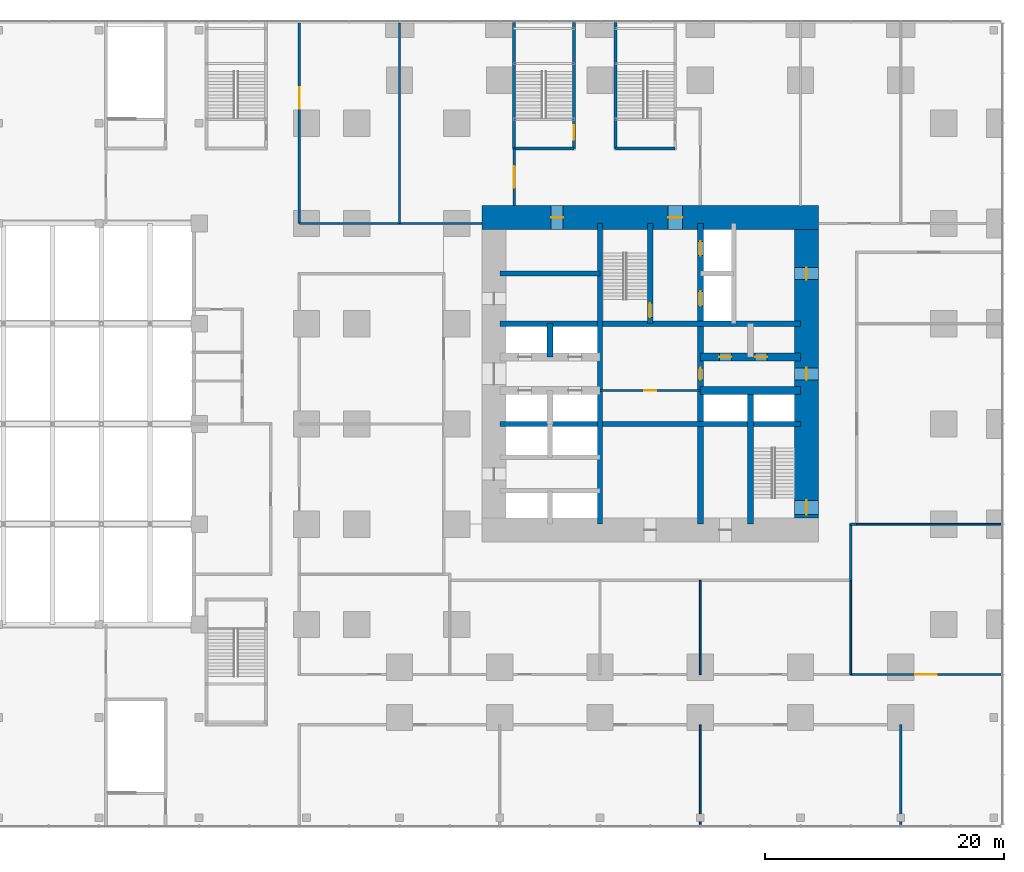
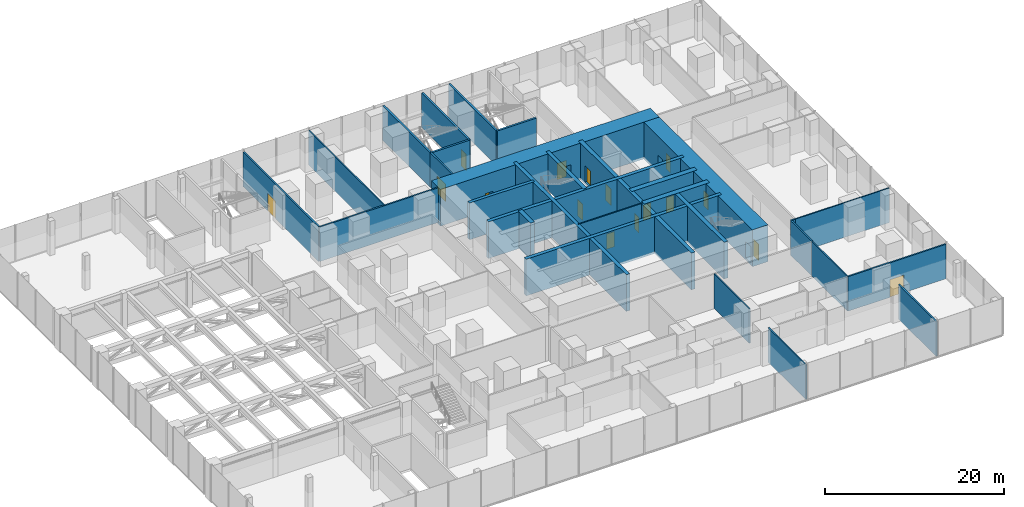
# One storey, part 28 of 33: 30 walls, 16 doors, 16 openings.
"""IFC4 building model written with IfcOpenShell, lengths in metres."""

from ifc_helpers import new_model, si_unit, direction, frame, frame_2d, origin, place, context, subcontext, project, spatial, rectangle, extrude, material, layer, layer_set, type_object, element, fill, save


model = new_model("IFC4")

# Units and contexts
model_context = context("Model", 3, precision=1e-05, world=origin(), true_north=direction((0.0, 1.0)))
body_context = subcontext(model_context, "Body", "Model", "MODEL_VIEW")
ifc_project = project(units=[si_unit("LENGTHUNIT", "METRE"), si_unit("AREAUNIT", "SQUARE_METRE"), si_unit("VOLUMEUNIT", "CUBIC_METRE"), si_unit("PLANEANGLEUNIT", "RADIAN"), si_unit("MASSUNIT", "GRAM", prefix="KILO")], contexts=[model_context])

# Site, building, storey
site_placement = place(None, origin())
site = spatial("IfcSite", under=ifc_project, at=site_placement, CompositionType="ELEMENT")
building_placement = place(site_placement, origin())
building = spatial("IfcBuilding", under=site, at=building_placement, Name="Dunama Terrace Hotel", CompositionType="ELEMENT")
storey_placement = place(building_placement, frame((0.0, 0.0, 12.0)))
storey = spatial("IfcBuildingStorey", under=building, at=storey_placement, Name="L02", CompositionType="ELEMENT", Elevation=12.0)

# Walls
ifc_material_1 = material(Name="Concrete C50/60", Category="concrete")
ifc_layer_1 = layer(ifc_material_1, 0.39990234375)
ifc_layer_set_1 = layer_set([ifc_layer_1], Name="Core inner wall 400")
wall_type_1 = type_object("IfcWallType", Name="Core inner wall 400", PredefinedType="SHEAR", material=ifc_layer_set_1)
wall_1_placement = place(storey_placement, frame((16.800048828125, 37.800048828125, -0.300048828125), z_axis=(0.0, 0.0, 1.0), x_axis=(1.0, 0.0, 0.0)))
element("IfcWall", 1, at=wall_1_placement, inside=storey, type_object=wall_type_1, Name="Core inner wall 400 L02", PredefinedType="SHEAR", context=body_context, shape_type="SweptSolid", body=[
    extrude(rectangle(XDim=8.39990234375, YDim=0.39990234375, at=frame_2d((4.199951171875, 0.0))), origin(), (0.0, 0.0, 1.0), 5.0),
])
ifc_material_2 = material(Name="Concrete C50/60", Category="concrete")
ifc_layer_2 = layer(ifc_material_2, 0.449951171875)
ifc_layer_set_2 = layer_set([ifc_layer_2], Name="Core inner wall 450")
wall_type_2 = type_object("IfcWallType", Name="Core inner wall 450", PredefinedType="SHEAR", material=ifc_layer_set_2)
wall_2_placement = place(storey_placement, frame((25.199951171875, 16.800048828125, -0.300048828125), z_axis=(0.0, 0.0, 1.0), x_axis=(0.0, 1.0, 0.0)))
element("IfcWall", 2, at=wall_2_placement, inside=storey, type_object=wall_type_2, Name="Core inner wall 450 L02", PredefinedType="SHEAR", context=body_context, shape_type="SweptSolid", body=[
    extrude(rectangle(XDim=25.199951171875, YDim=0.449951171875, at=frame_2d((12.60009765625, 0.0))), origin(), (0.0, 0.0, 1.0), 5.0),
])

# Wall, opening, door
wall_3_placement = place(storey_placement, frame((29.39990234375, 33.60009765625, -0.300048828125), z_axis=(0.0, 0.0, 1.0), x_axis=(0.0, 1.0, 0.0)))
wall_3 = element("IfcWall", 3, at=wall_3_placement, inside=storey, type_object=wall_type_2, Name="Core inner wall 450 L02", PredefinedType="SHEAR", context=body_context, shape_type="SweptSolid", body=[
    extrude(rectangle(XDim=8.39990234375, YDim=0.449951171875, at=frame_2d((4.199951171875, 0.0))), origin(), (0.0, 0.0, 1.0), 5.0),
])
opening_1_placement = place(wall_3_placement, frame((0.52490234375, 0.0, 0.300048828125)))
opening_1 = element("IfcOpeningElement", 4, at=opening_1_placement, cuts=wall_3, Name="Opening L02-001", PredefinedType="OPENING", context=body_context, shape_type="SweptSolid", body=[
    extrude(rectangle(XDim=1.199951171875, YDim=2.199951171875, at=frame_2d((0.60009765625, 1.10009765625))), frame((0.0, 0.23486328125, 0.0), z_axis=(0.0, -1.0, 0.0), x_axis=(1.0, 0.0, 0.0)), (0.0, 0.0, 1.0), 0.469970703125),
])
ifc_material_3 = material(Name="Timber door with steel frame", Category="steel")
door_type_1 = type_object("IfcDoorType", Name="Stair door 1200", OperationType="SINGLE_SWING_LEFT", PredefinedType="DOOR", material=ifc_material_3)
door_1_placement = place(opening_1_placement, origin())
door_1 = element("IfcDoor", 5, at=door_1_placement, inside=storey, type_object=door_type_1, Name="Stair door ST1 L02-001, type D5", OperationType="SINGLE_SWING_LEFT", OverallHeight=2.199951171875, OverallWidth=1.199951171875, PredefinedType="DOOR", context=body_context, shape_type="SweptSolid", body=[
    extrude(rectangle(XDim=1.199951171875, YDim=2.199951171875, at=frame_2d((0.60009765625, 1.10009765625))), frame((0.0, 0.02490234375, 0.0), z_axis=(0.0, -1.0, 0.0), x_axis=(1.0, 0.0, 0.0)), (0.0, 0.0, 1.0), 0.050048828125),
])
fill(opening_1, door_1)

# Walls
for number, where, z_axis, x_axis, name in (
    (6, (16.800048828125, 25.199951171875, -0.300048828125), (0.0, 0.0, 1.0), (1.0, 0.0, 0.0), "Core inner wall 450 L02"),
    (7, (16.800048828125, 33.60009765625, -0.300048828125), (0.0, 0.0, 1.0), (1.0, 0.0, 0.0), "Core inner wall 450 L02"),
):
    element("IfcWall", number, at=place(storey_placement, frame(where, z_axis=z_axis, x_axis=x_axis)), inside=storey, type_object=wall_type_2, Name=name, PredefinedType="SHEAR", context=body_context, shape_type="SweptSolid", body=[
        extrude(rectangle(XDim=25.199951171875, YDim=0.449951171875, at=frame_2d((12.60009765625, 0.0))), origin(), (0.0, 0.0, 1.0), 5.0),
    ])
ifc_material_4 = material(Name="Concrete C50/60", Category="concrete")
ifc_layer_3 = layer(ifc_material_4, 0.5)
ifc_layer_set_3 = layer_set([ifc_layer_3], Name="Core inner wall 500")
wall_type_3 = type_object("IfcWallType", Name="Core inner wall 500", PredefinedType="SHEAR", material=ifc_layer_set_3)
wall_4_placement = place(storey_placement, frame((21.0, 30.800048828125, -0.300048828125), z_axis=(0.0, 0.0, 1.0), x_axis=(0.0, 1.0, 0.0)))
element("IfcWall", 8, at=wall_4_placement, inside=storey, type_object=wall_type_3, Name="Core inner wall 500 L02", PredefinedType="SHEAR", context=body_context, shape_type="SweptSolid", body=[
    extrude(rectangle(XDim=2.800048828125, YDim=0.5, at=frame_2d((1.39990234375, 0.0))), origin(), (0.0, 0.0, 1.0), 5.0),
])

# Wall, openings, doors
wall_5_placement = place(storey_placement, frame((33.60009765625, 16.800048828125, -0.300048828125), z_axis=(0.0, 0.0, 1.0), x_axis=(0.0, 1.0, 0.0)))
wall_5 = element("IfcWall", 9, at=wall_5_placement, inside=storey, type_object=wall_type_3, Name="Core inner wall 500 L02", PredefinedType="SHEAR", context=body_context, shape_type="SweptSolid", body=[
    extrude(rectangle(XDim=25.199951171875, YDim=0.5, at=frame_2d((12.60009765625, 0.0))), origin(), (0.0, 0.0, 1.0), 5.0),
])
opening_2_placement = place(wall_5_placement, frame((22.5, 0.0, 0.300048828125)))
opening_2 = element("IfcOpeningElement", 10, at=opening_2_placement, cuts=wall_5, Name="Opening L02-013", PredefinedType="OPENING", context=body_context, shape_type="SweptSolid", body=[
    extrude(rectangle(XDim=1.199951171875, YDim=2.199951171875, at=frame_2d((0.60009765625, 1.10009765625))), frame((0.0, 0.260009765625, 0.0), z_axis=(0.0, -1.0, 0.0), x_axis=(1.0, 0.0, 0.0)), (0.0, 0.0, 1.0), 0.52001953125),
])
opening_3_placement = place(wall_5_placement, frame((18.300048828125, 0.0, 0.300048828125)))
opening_3 = element("IfcOpeningElement", 11, at=opening_3_placement, cuts=wall_5, Name="Opening L02-014", PredefinedType="OPENING", context=body_context, shape_type="SweptSolid", body=[
    extrude(rectangle(XDim=1.199951171875, YDim=2.199951171875, at=frame_2d((0.60009765625, 1.10009765625))), frame((0.0, 0.260009765625, 0.0), z_axis=(0.0, -1.0, 0.0), x_axis=(1.0, 0.0, 0.0)), (0.0, 0.0, 1.0), 0.52001953125),
])
opening_4_placement = place(wall_5_placement, frame((12.10009765625, 0.0, 0.300048828125)))
opening_4 = element("IfcOpeningElement", 12, at=opening_4_placement, cuts=wall_5, Name="Opening L02-019", PredefinedType="OPENING", context=body_context, shape_type="SweptSolid", body=[
    extrude(rectangle(XDim=1.0, YDim=2.10009765625, at=frame_2d((0.5, 1.050048828125))), frame((0.0, 0.260009765625, 0.0), z_axis=(0.0, -1.0, 0.0), x_axis=(1.0, 0.0, 0.0)), (0.0, 0.0, 1.0), 0.52001953125),
])
ifc_material_5 = material(Name="Stainless steel lift door", Category="steel")
door_type_2 = type_object("IfcDoorType", Name="Firefighting lift landing door 1200", OperationType="DOUBLE_DOOR_SLIDING", PredefinedType="DOOR", material=ifc_material_5)
door_2_placement = place(opening_2_placement, origin())
door_2 = element("IfcDoor", 13, at=door_2_placement, inside=storey, type_object=door_type_2, Name="Landing door FL1 L02-013, type LD2", OperationType="DOUBLE_DOOR_SLIDING", OverallHeight=2.199951171875, OverallWidth=1.199951171875, PredefinedType="DOOR", context=body_context, shape_type="SweptSolid", body=[
    extrude(rectangle(XDim=1.199951171875, YDim=2.199951171875, at=frame_2d((0.60009765625, 1.10009765625))), frame((0.0, 0.02490234375, 0.0), z_axis=(0.0, -1.0, 0.0), x_axis=(1.0, 0.0, 0.0)), (0.0, 0.0, 1.0), 0.050048828125),
])
fill(opening_2, door_2)
door_3_placement = place(opening_3_placement, origin())
door_3 = element("IfcDoor", 14, at=door_3_placement, inside=storey, type_object=door_type_2, Name="Landing door FL2 L02-014, type LD2", OperationType="DOUBLE_DOOR_SLIDING", OverallHeight=2.199951171875, OverallWidth=1.199951171875, PredefinedType="DOOR", context=body_context, shape_type="SweptSolid", body=[
    extrude(rectangle(XDim=1.199951171875, YDim=2.199951171875, at=frame_2d((0.60009765625, 1.10009765625))), frame((0.0, 0.02490234375, 0.0), z_axis=(0.0, -1.0, 0.0), x_axis=(1.0, 0.0, 0.0)), (0.0, 0.0, 1.0), 0.050048828125),
])
fill(opening_3, door_3)
ifc_material_6 = material(Name="Timber door with steel frame", Category="steel")
door_type_3 = type_object("IfcDoorType", Name="Service door 1000", OperationType="SINGLE_SWING_LEFT", PredefinedType="DOOR", material=ifc_material_6)
door_4_placement = place(opening_4_placement, origin())
door_4 = element("IfcDoor", 15, at=door_4_placement, inside=storey, type_object=door_type_3, Name="Door to guest amenities store L02-019, type D7", OperationType="SINGLE_SWING_LEFT", OverallHeight=2.10009765625, OverallWidth=1.0, PredefinedType="DOOR", context=body_context, shape_type="SweptSolid", body=[
    extrude(rectangle(XDim=1.0, YDim=2.10009765625, at=frame_2d((0.5, 1.050048828125))), frame((0.0, 0.02490234375, 0.0), z_axis=(0.0, -1.0, 0.0), x_axis=(1.0, 0.0, 0.0)), (0.0, 0.0, 1.0), 0.050048828125),
])
fill(opening_4, door_4)

# Walls
wall_6_placement = place(storey_placement, frame((37.800048828125, 16.800048828125, -0.300048828125), z_axis=(0.0, 0.0, 1.0), x_axis=(0.0, 1.0, 0.0)))
element("IfcWall", 16, at=wall_6_placement, inside=storey, type_object=wall_type_3, Name="Core inner wall 500 L02", PredefinedType="SHEAR", context=body_context, shape_type="SweptSolid", body=[
    extrude(rectangle(XDim=11.199951171875, YDim=0.5, at=frame_2d((5.60009765625, 0.0))), origin(), (0.0, 0.0, 1.0), 5.0),
])
ifc_material_7 = material(Name="Concrete C50/60", Category="concrete")
ifc_layer_4 = layer(ifc_material_7, 0.64990234375)
ifc_layer_set_4 = layer_set([ifc_layer_4], Name="Core inner wall 650")
wall_type_4 = type_object("IfcWallType", Name="Core inner wall 650", PredefinedType="SHEAR", material=ifc_layer_set_4)
wall_7_placement = place(storey_placement, frame((33.60009765625, 28.0, -0.300048828125), z_axis=(0.0, 0.0, 1.0), x_axis=(1.0, 0.0, 0.0)))
element("IfcWall", 17, at=wall_7_placement, inside=storey, type_object=wall_type_4, Name="Core inner wall 650 L02", PredefinedType="SHEAR", context=body_context, shape_type="SweptSolid", body=[
    extrude(rectangle(XDim=8.39990234375, YDim=0.64990234375, at=frame_2d((4.199951171875, 0.0))), origin(), (0.0, 0.0, 1.0), 5.0),
])

# Wall, openings, doors
wall_8_placement = place(storey_placement, frame((33.60009765625, 30.800048828125, -0.300048828125), z_axis=(0.0, 0.0, 1.0), x_axis=(1.0, 0.0, 0.0)))
wall_8 = element("IfcWall", 18, at=wall_8_placement, inside=storey, type_object=wall_type_4, Name="Core inner wall 650 L02", PredefinedType="SHEAR", context=body_context, shape_type="SweptSolid", body=[
    extrude(rectangle(XDim=8.39990234375, YDim=0.64990234375, at=frame_2d((4.199951171875, 0.0))), origin(), (0.0, 0.0, 1.0), 5.0),
])
opening_5_placement = place(wall_8_placement, frame((1.60009765625, 0.0, 0.300048828125)))
opening_5 = element("IfcOpeningElement", 19, at=opening_5_placement, cuts=wall_8, Name="Opening L02-021", PredefinedType="OPENING", context=body_context, shape_type="SweptSolid", body=[
    extrude(rectangle(XDim=1.0, YDim=2.10009765625, at=frame_2d((0.5, 1.050048828125))), frame((0.0, 0.3349609375, 0.0), z_axis=(0.0, -1.0, 0.0), x_axis=(1.0, 0.0, 0.0)), (0.0, 0.0, 1.0), 0.669921875),
])
opening_6_placement = place(wall_8_placement, frame((4.60009765625, 0.0, 0.300048828125)))
opening_6 = element("IfcOpeningElement", 20, at=opening_6_placement, cuts=wall_8, Name="Opening L02-022", PredefinedType="OPENING", context=body_context, shape_type="SweptSolid", body=[
    extrude(rectangle(XDim=1.0, YDim=2.10009765625, at=frame_2d((0.5, 1.050048828125))), frame((0.0, 0.3349609375, 0.0), z_axis=(0.0, -1.0, 0.0), x_axis=(1.0, 0.0, 0.0)), (0.0, 0.0, 1.0), 0.669921875),
])
door_5_placement = place(opening_5_placement, origin())
door_5 = element("IfcDoor", 21, at=door_5_placement, inside=storey, type_object=door_type_3, Name="Door to service riser L02-021, type D7", OperationType="SINGLE_SWING_RIGHT", OverallHeight=2.10009765625, OverallWidth=1.0, PredefinedType="DOOR", context=body_context, shape_type="SweptSolid", body=[
    extrude(rectangle(XDim=1.0, YDim=2.10009765625, at=frame_2d((0.5, 1.050048828125))), frame((0.0, 0.02490234375, 0.0), z_axis=(0.0, -1.0, 0.0), x_axis=(1.0, 0.0, 0.0)), (0.0, 0.0, 1.0), 0.050048828125),
])
fill(opening_5, door_5)
door_6_placement = place(opening_6_placement, origin())
door_6 = element("IfcDoor", 22, at=door_6_placement, inside=storey, type_object=door_type_3, Name="Door to audio-visual equipment store L02-022, type D7", OperationType="SINGLE_SWING_LEFT", OverallHeight=2.10009765625, OverallWidth=1.0, PredefinedType="DOOR", context=body_context, shape_type="SweptSolid", body=[
    extrude(rectangle(XDim=1.0, YDim=2.10009765625, at=frame_2d((0.5, 1.050048828125))), frame((0.0, 0.02490234375, 0.0), z_axis=(0.0, -1.0, 0.0), x_axis=(1.0, 0.0, 0.0)), (0.0, 0.0, 1.0), 0.050048828125),
])
fill(opening_6, door_6)

ifc_material_8 = material(Name="Concrete C60/75", Category="concrete")
ifc_layer_5 = layer(ifc_material_8, 2.0)
ifc_layer_set_5 = layer_set([ifc_layer_5], Name="Core wall 2000")
wall_type_5 = type_object("IfcWallType", Name="Core wall 2000", PredefinedType="SHEAR", material=ifc_layer_set_5)
wall_9_placement = place(storey_placement, frame((42.5, 17.300048828125, -0.300048828125), z_axis=(0.0, 0.0, 1.0), x_axis=(0.0, 1.0, 0.0)))
wall_9 = element("IfcWall", 23, at=wall_9_placement, inside=storey, type_object=wall_type_5, Name="Core wall east L02", PredefinedType="SHEAR", context=body_context, shape_type="SweptSolid", body=[
    extrude(rectangle(XDim=24.199951171875, YDim=2.0, at=frame_2d((12.10009765625, 0.0))), origin(), (0.0, 0.0, 1.0), 5.0),
])
opening_7_placement = place(wall_9_placement, frame((0.300048828125, 0.0, 0.300048828125)))
opening_7 = element("IfcOpeningElement", 24, at=opening_7_placement, cuts=wall_9, Name="Opening L02-002", PredefinedType="OPENING", context=body_context, shape_type="SweptSolid", body=[
    extrude(rectangle(XDim=1.199951171875, YDim=2.199951171875, at=frame_2d((0.60009765625, 1.10009765625))), frame((0.0, 1.010009765625, 0.0), z_axis=(0.0, -1.0, 0.0), x_axis=(1.0, 0.0, 0.0)), (0.0, 0.0, 1.0), 2.02001953125),
])
opening_8_placement = place(wall_9_placement, frame((11.60009765625, 0.0, 0.300048828125)))
opening_8 = element("IfcOpeningElement", 25, at=opening_8_placement, cuts=wall_9, Name="Opening L02-023", PredefinedType="OPENING", context=body_context, shape_type="SweptSolid", body=[
    extrude(rectangle(XDim=1.0, YDim=2.10009765625, at=frame_2d((0.5, 1.050048828125))), frame((0.0, 1.010009765625, 0.0), z_axis=(0.0, -1.0, 0.0), x_axis=(1.0, 0.0, 0.0)), (0.0, 0.0, 1.0), 2.02001953125),
])
opening_9_placement = place(wall_9_placement, frame((20.0, 0.0, 0.300048828125)))
opening_9 = element("IfcOpeningElement", 26, at=opening_9_placement, cuts=wall_9, Name="Opening L02-025", PredefinedType="OPENING", context=body_context, shape_type="SweptSolid", body=[
    extrude(rectangle(XDim=1.0, YDim=2.10009765625, at=frame_2d((0.5, 1.050048828125))), frame((0.0, 1.010009765625, 0.0), z_axis=(0.0, -1.0, 0.0), x_axis=(1.0, 0.0, 0.0)), (0.0, 0.0, 1.0), 2.02001953125),
])
door_7_placement = place(opening_8_placement, origin())
door_7 = element("IfcDoor", 27, at=door_7_placement, inside=storey, type_object=door_type_3, Name="Door to service lobby L02-023, type D7", OperationType="SINGLE_SWING_LEFT", OverallHeight=2.10009765625, OverallWidth=1.0, PredefinedType="DOOR", context=body_context, shape_type="SweptSolid", body=[
    extrude(rectangle(XDim=1.0, YDim=2.10009765625, at=frame_2d((0.5, 1.050048828125))), frame((0.0, 0.02490234375, 0.0), z_axis=(0.0, -1.0, 0.0), x_axis=(1.0, 0.0, 0.0)), (0.0, 0.0, 1.0), 0.050048828125),
])
fill(opening_8, door_7)
door_8_placement = place(opening_9_placement, origin())
door_8 = element("IfcDoor", 28, at=door_8_placement, inside=storey, type_object=door_type_3, Name="Door to housekeeping store L02-025, type D7", OperationType="SINGLE_SWING_RIGHT", OverallHeight=2.10009765625, OverallWidth=1.0, PredefinedType="DOOR", context=body_context, shape_type="SweptSolid", body=[
    extrude(rectangle(XDim=1.0, YDim=2.10009765625, at=frame_2d((0.5, 1.050048828125))), frame((0.0, 0.02490234375, 0.0), z_axis=(0.0, -1.0, 0.0), x_axis=(1.0, 0.0, 0.0)), (0.0, 0.0, 1.0), 0.050048828125),
])
fill(opening_9, door_8)
door_9_placement = place(opening_7_placement, origin())
door_9 = element("IfcDoor", 29, at=door_9_placement, inside=storey, type_object=door_type_1, Name="Stair door ST2 L02-002, type D5", OperationType="SINGLE_SWING_LEFT", OverallHeight=2.199951171875, OverallWidth=1.199951171875, PredefinedType="DOOR", context=body_context, shape_type="SweptSolid", body=[
    extrude(rectangle(XDim=1.199951171875, YDim=2.199951171875, at=frame_2d((0.60009765625, 1.10009765625))), frame((0.0, 0.02490234375, 0.0), z_axis=(0.0, -1.0, 0.0), x_axis=(1.0, 0.0, 0.0)), (0.0, 0.0, 1.0), 0.050048828125),
])
fill(opening_7, door_9)

wall_10_placement = place(storey_placement, frame((43.5, 42.5, -0.300048828125), z_axis=(0.0, 0.0, 1.0), x_axis=(-1.0, 0.0, 0.0)))
wall_10 = element("IfcWall", 30, at=wall_10_placement, inside=storey, type_object=wall_type_5, Name="Core wall north L02", PredefinedType="SHEAR", context=body_context, shape_type="SweptSolid", body=[
    extrude(rectangle(XDim=28.199951171875, YDim=2.0, at=frame_2d((14.10009765625, 0.0))), origin(), (0.0, 0.0, 1.0), 5.0),
])
opening_10_placement = place(wall_10_placement, frame((21.39990234375, 0.0, 0.300048828125)))
opening_10 = element("IfcOpeningElement", 31, at=opening_10_placement, cuts=wall_10, Name="Opening L02-018", PredefinedType="OPENING", context=body_context, shape_type="SweptSolid", body=[
    extrude(rectangle(XDim=1.0, YDim=2.10009765625, at=frame_2d((0.5, 1.050048828125))), frame((0.0, 1.010009765625, 0.0), z_axis=(0.0, -1.0, 0.0), x_axis=(1.0, 0.0, 0.0)), (0.0, 0.0, 1.0), 2.02001953125),
])
opening_11_placement = place(wall_10_placement, frame((11.39990234375, 0.0, 0.300048828125)))
opening_11 = element("IfcOpeningElement", 32, at=opening_11_placement, cuts=wall_10, Name="Opening L02-024", PredefinedType="OPENING", context=body_context, shape_type="SweptSolid", body=[
    extrude(rectangle(XDim=1.199951171875, YDim=2.199951171875, at=frame_2d((0.60009765625, 1.10009765625))), frame((0.0, 1.010009765625, 0.0), z_axis=(0.0, -1.0, 0.0), x_axis=(1.0, 0.0, 0.0)), (0.0, 0.0, 1.0), 2.02001953125),
])
ifc_material_9 = material(Name="Timber door with steel frame", Category="steel")
door_type_4 = type_object("IfcDoorType", Name="Firefighting lobby door 1200", OperationType="SINGLE_SWING_LEFT", PredefinedType="DOOR", material=ifc_material_9)
door_10_placement = place(opening_11_placement, origin())
door_10 = element("IfcDoor", 33, at=door_10_placement, inside=storey, type_object=door_type_4, Name="Door to firefighting lobby L02-024, type D4", OperationType="SINGLE_SWING_LEFT", OverallHeight=2.199951171875, OverallWidth=1.199951171875, PredefinedType="DOOR", context=body_context, shape_type="SweptSolid", body=[
    extrude(rectangle(XDim=1.199951171875, YDim=2.199951171875, at=frame_2d((0.60009765625, 1.10009765625))), frame((0.0, 0.02490234375, 0.0), z_axis=(0.0, -1.0, 0.0), x_axis=(1.0, 0.0, 0.0)), (0.0, 0.0, 1.0), 0.050048828125),
])
fill(opening_11, door_10)
door_11_placement = place(opening_10_placement, origin())
door_11 = element("IfcDoor", 34, at=door_11_placement, inside=storey, type_object=door_type_3, Name="Door to communications and riser room L02-018, type D7", OperationType="SINGLE_SWING_LEFT", OverallHeight=2.10009765625, OverallWidth=1.0, PredefinedType="DOOR", context=body_context, shape_type="SweptSolid", body=[
    extrude(rectangle(XDim=1.0, YDim=2.10009765625, at=frame_2d((0.5, 1.050048828125))), frame((0.0, 0.02490234375, 0.0), z_axis=(0.0, -1.0, 0.0), x_axis=(1.0, 0.0, 0.0)), (0.0, 0.0, 1.0), 0.050048828125),
])
fill(opening_10, door_11)

# Wall, opening, door
ifc_material_10 = material(Name="Concrete blockwork", Category="masonry")
ifc_layer_6 = layer(ifc_material_10, 0.199951171875)
ifc_layer_set_6 = layer_set([ifc_layer_6], Name="Corridor partition 200")
wall_type_6 = type_object("IfcWallType", Name="Corridor partition 200", PredefinedType="PARTITIONING", material=ifc_layer_set_6)
wall_11_placement = place(storey_placement, frame((0.0, 42.0, 0.0), z_axis=(0.0, 0.0, 1.0), x_axis=(0.0, 1.0, 0.0)))
wall_11 = element("IfcWall", 35, at=wall_11_placement, inside=storey, type_object=wall_type_6, Name="Corridor partition 200 L02", PredefinedType="PARTITIONING", context=body_context, shape_type="SweptSolid", body=[
    extrude(rectangle(XDim=16.800048828125, YDim=0.199951171875, at=frame_2d((8.39990234375, 0.0))), origin(), (0.0, 0.0, 1.0), 4.699951171875),
])
opening_12_placement = place(wall_11_placement, frame((9.60009765625, 0.0, 0.0)))
opening_12 = element("IfcOpeningElement", 36, at=opening_12_placement, cuts=wall_11, Name="Opening L02-030", PredefinedType="OPENING", context=body_context, shape_type="SweptSolid", body=[
    extrude(rectangle(XDim=1.800048828125, YDim=2.39990234375, at=frame_2d((0.89990234375, 1.199951171875))), frame((0.0, 0.10986328125, 0.0), z_axis=(0.0, -1.0, 0.0), x_axis=(1.0, 0.0, 0.0)), (0.0, 0.0, 1.0), 0.219970703125),
])
ifc_material_11 = material(Name="Aluminium-framed glazed door", Category="aluminium")
door_type_5 = type_object("IfcDoorType", Name="Glazed double door 1800", OperationType="DOUBLE_DOOR_DOUBLE_SWING", PredefinedType="DOOR", material=ifc_material_11)
door_12_placement = place(opening_12_placement, origin())
door_12 = element("IfcDoor", 37, at=door_12_placement, inside=storey, type_object=door_type_5, Name="Door to meeting room 6 L02-030, type D8", OperationType="DOUBLE_DOOR_DOUBLE_SWING", OverallHeight=2.39990234375, OverallWidth=1.800048828125, PredefinedType="DOOR", context=body_context, shape_type="SweptSolid", body=[
    extrude(rectangle(XDim=1.800048828125, YDim=2.39990234375, at=frame_2d((0.89990234375, 1.199951171875))), frame((0.0, 0.02490234375, 0.0), z_axis=(0.0, -1.0, 0.0), x_axis=(1.0, 0.0, 0.0)), (0.0, 0.0, 1.0), 0.050048828125),
])
fill(opening_12, door_12)

# Walls
wall_12_placement = place(storey_placement, frame((46.199951171875, 12.10009765625, 0.0), z_axis=(0.0, 0.0, 1.0), x_axis=(0.0, 1.0, 0.0)))
element("IfcWall", 38, at=wall_12_placement, inside=storey, type_object=wall_type_6, Name="Corridor partition 200 L02", PredefinedType="PARTITIONING", context=body_context, shape_type="SweptSolid", body=[
    extrude(rectangle(XDim=4.699951171875, YDim=0.199951171875, at=frame_2d((2.35009765625, 0.0))), origin(), (0.0, 0.0, 1.0), 4.699951171875),
])
wall_13_placement = place(storey_placement, frame((46.199951171875, 16.800048828125, 0.0), z_axis=(0.0, 0.0, 1.0), x_axis=(1.0, 0.0, 0.0)))
element("IfcWall", 39, at=wall_13_placement, inside=storey, type_object=wall_type_6, Name="Corridor partition 200 L02", PredefinedType="PARTITIONING", context=body_context, shape_type="SweptSolid", body=[
    extrude(rectangle(XDim=0.5, YDim=0.199951171875, at=frame_2d((0.25, 0.0))), origin(), (0.0, 0.0, 1.0), 4.699951171875),
])

# Wall, opening, door
wall_14_placement = place(storey_placement, frame((18.0, 48.300048828125, 0.0), z_axis=(0.0, 0.0, 1.0), x_axis=(0.0, -1.0, 0.0)))
wall_14 = element("IfcWall", 40, at=wall_14_placement, inside=storey, type_object=wall_type_6, Name="Corridor partition 200 L02", PredefinedType="PARTITIONING", context=body_context, shape_type="SweptSolid", body=[
    extrude(rectangle(XDim=4.800048828125, YDim=0.199951171875, at=frame_2d((2.39990234375, 0.0))), origin(), (0.0, 0.0, 1.0), 4.699951171875),
])
opening_13_placement = place(wall_14_placement, frame((1.5, 0.0, 0.0)))
opening_13 = element("IfcOpeningElement", 41, at=opening_13_placement, cuts=wall_14, Name="Opening L02-031", PredefinedType="OPENING", context=body_context, shape_type="SweptSolid", body=[
    extrude(rectangle(XDim=1.800048828125, YDim=2.39990234375, at=frame_2d((0.89990234375, 1.199951171875))), frame((0.0, 0.10986328125, 0.0), z_axis=(0.0, -1.0, 0.0), x_axis=(1.0, 0.0, 0.0)), (0.0, 0.0, 1.0), 0.219970703125),
])
door_13_placement = place(opening_13_placement, origin())
door_13 = element("IfcDoor", 42, at=door_13_placement, inside=storey, type_object=door_type_5, Name="Door to meeting room 7 L02-031, type D8", OperationType="DOUBLE_DOOR_DOUBLE_SWING", OverallHeight=2.39990234375, OverallWidth=1.800048828125, PredefinedType="DOOR", context=body_context, shape_type="SweptSolid", body=[
    extrude(rectangle(XDim=1.800048828125, YDim=2.39990234375, at=frame_2d((0.89990234375, 1.199951171875))), frame((0.0, 0.02490234375, 0.0), z_axis=(0.0, -1.0, 0.0), x_axis=(1.0, 0.0, 0.0)), (0.0, 0.0, 1.0), 0.050048828125),
])
fill(opening_13, door_13)

# Wall
wall_15_placement = place(storey_placement, frame((50.39990234375, 0.0, 0.0), z_axis=(0.0, 0.0, 1.0), x_axis=(0.0, -1.0, 0.0)))
element("IfcWall", 43, at=wall_15_placement, inside=storey, type_object=wall_type_6, Name="Corridor partition 200 L02", PredefinedType="PARTITIONING", context=body_context, shape_type="SweptSolid", body=[
    extrude(rectangle(XDim=8.39990234375, YDim=0.199951171875, at=frame_2d((4.199951171875, 0.0))), origin(), (0.0, 0.0, 1.0), 4.699951171875),
])

# Wall, opening, door
wall_16_placement = place(storey_placement, frame((58.800048828125, 4.199951171875, 0.0), z_axis=(0.0, 0.0, 1.0), x_axis=(-1.0, 0.0, 0.0)))
wall_16 = element("IfcWall", 44, at=wall_16_placement, inside=storey, type_object=wall_type_6, Name="Corridor partition 200 L02", PredefinedType="PARTITIONING", context=body_context, shape_type="SweptSolid", body=[
    extrude(rectangle(XDim=12.60009765625, YDim=0.199951171875, at=frame_2d((6.300048828125, 0.0))), origin(), (0.0, 0.0, 1.0), 4.699951171875),
])
opening_14_placement = place(wall_16_placement, frame((5.39990234375, 0.0, 0.0)))
opening_14 = element("IfcOpeningElement", 45, at=opening_14_placement, cuts=wall_16, Name="Opening L02-049", PredefinedType="OPENING", context=body_context, shape_type="SweptSolid", body=[
    extrude(rectangle(XDim=1.800048828125, YDim=2.39990234375, at=frame_2d((0.89990234375, 1.199951171875))), frame((0.0, 0.10986328125, 0.0), z_axis=(0.0, -1.0, 0.0), x_axis=(1.0, 0.0, 0.0)), (0.0, 0.0, 1.0), 0.219970703125),
])
door_14_placement = place(opening_14_placement, origin())
door_14 = element("IfcDoor", 46, at=door_14_placement, inside=storey, type_object=door_type_5, Name="Door to meeting room 13 L02-049, type D8", OperationType="DOUBLE_DOOR_DOUBLE_SWING", OverallHeight=2.39990234375, OverallWidth=1.800048828125, PredefinedType="DOOR", context=body_context, shape_type="SweptSolid", body=[
    extrude(rectangle(XDim=1.800048828125, YDim=2.39990234375, at=frame_2d((0.89990234375, 1.199951171875))), frame((0.0, 0.02490234375, 0.0), z_axis=(0.0, -1.0, 0.0), x_axis=(1.0, 0.0, 0.0)), (0.0, 0.0, 1.0), 0.050048828125),
])
fill(opening_14, door_14)

# Walls
wall_17_placement = place(storey_placement, frame((15.300048828125, 42.0, 0.0), z_axis=(0.0, 0.0, 1.0), x_axis=(-1.0, 0.0, 0.0)))
element("IfcWall", 47, at=wall_17_placement, inside=storey, type_object=wall_type_6, Name="Corridor partition 200 L02", PredefinedType="PARTITIONING", context=body_context, shape_type="SweptSolid", body=[
    extrude(rectangle(XDim=15.300048828125, YDim=0.199951171875, at=frame_2d((7.64990234375, 0.0))), origin(), (0.0, 0.0, 1.0), 4.699951171875),
])
ifc_material_12 = material(Name="Gypsum board partition", Category="masonry")
ifc_layer_7 = layer(ifc_material_12, 0.14990234375)
ifc_layer_set_7 = layer_set([ifc_layer_7], Name="Room partition 150")
wall_type_7 = type_object("IfcWallType", Name="Room partition 150", PredefinedType="PARTITIONING", material=ifc_layer_set_7)
wall_18_placement = place(storey_placement, frame((8.39990234375, 42.0, 0.0), z_axis=(0.0, 0.0, 1.0), x_axis=(0.0, 1.0, 0.0)))
element("IfcWall", 48, at=wall_18_placement, inside=storey, type_object=wall_type_7, Name="Room partition 150 L02", PredefinedType="PARTITIONING", context=body_context, shape_type="SweptSolid", body=[
    extrude(rectangle(XDim=16.800048828125, YDim=0.14990234375, at=frame_2d((8.39990234375, 0.0))), origin(), (0.0, 0.0, 1.0), 4.699951171875),
])
wall_19_placement = place(storey_placement, frame((33.60009765625, -8.39990234375, 0.0), z_axis=(0.0, 0.0, 1.0), x_axis=(0.0, 1.0, 0.0)))
element("IfcWall", 49, at=wall_19_placement, inside=storey, type_object=wall_type_7, Name="Room partition 150 L02", PredefinedType="PARTITIONING", context=body_context, shape_type="SweptSolid", body=[
    extrude(rectangle(XDim=8.39990234375, YDim=0.14990234375, at=frame_2d((4.199951171875, 0.0))), origin(), (0.0, 0.0, 1.0), 4.699951171875),
])
for number, where, z_axis, x_axis, name in (
    (50, (33.60009765625, 4.199951171875, 0.0), (0.0, 0.0, 1.0), (0.0, 1.0, 0.0), "Room partition 150 L02"),
    (51, (46.199951171875, 4.199951171875, 0.0), (0.0, 0.0, 1.0), (0.0, 1.0, 0.0), "Room partition 150 L02"),
):
    element("IfcWall", number, at=place(storey_placement, frame(where, z_axis=z_axis, x_axis=x_axis)), inside=storey, type_object=wall_type_7, Name=name, PredefinedType="PARTITIONING", context=body_context, shape_type="SweptSolid", body=[
        extrude(rectangle(XDim=7.900146484375, YDim=0.14990234375, at=frame_2d((3.9501953125, 0.0))), origin(), (0.0, 0.0, 1.0), 4.699951171875),
    ])
wall_20_placement = place(storey_placement, frame((46.699951171875, 16.800048828125, 0.0), z_axis=(0.0, 0.0, 1.0), x_axis=(1.0, 0.0, 0.0)))
element("IfcWall", 52, at=wall_20_placement, inside=storey, type_object=wall_type_7, Name="Room partition 150 L02", PredefinedType="PARTITIONING", context=body_context, shape_type="SweptSolid", body=[
    extrude(rectangle(XDim=12.10009765625, YDim=0.14990234375, at=frame_2d((6.050048828125, 0.0))), origin(), (0.0, 0.0, 1.0), 4.699951171875),
])

# Wall, opening, door
wall_21_placement = place(storey_placement, frame((25.199951171875, 28.0, 0.0), z_axis=(0.0, 0.0, 1.0), x_axis=(1.0, 0.0, 0.0)))
wall_21 = element("IfcWall", 53, at=wall_21_placement, inside=storey, type_object=wall_type_7, Name="Room partition 150 L02", PredefinedType="PARTITIONING", context=body_context, shape_type="SweptSolid", body=[
    extrude(rectangle(XDim=8.400146484375, YDim=0.14990234375, at=frame_2d((4.2001953125, 0.0))), origin(), (0.0, 0.0, 1.0), 4.699951171875),
])
opening_15_placement = place(wall_21_placement, frame((3.699951171875, 0.0, 0.0)))
opening_15 = element("IfcOpeningElement", 54, at=opening_15_placement, cuts=wall_21, Name="Opening L02-020", PredefinedType="OPENING", context=body_context, shape_type="SweptSolid", body=[
    extrude(rectangle(XDim=1.0, YDim=2.10009765625, at=frame_2d((0.5, 1.050048828125))), frame((0.0, 0.0849609375, 0.0), z_axis=(0.0, -1.0, 0.0), x_axis=(1.0, 0.0, 0.0)), (0.0, 0.0, 1.0), 0.169921875),
])
door_15_placement = place(opening_15_placement, frame((1.0, 0.0, 0.0), z_axis=(0.0, 0.0, 1.0), x_axis=(-1.0, 0.0, 0.0)))
door_15 = element("IfcDoor", 55, at=door_15_placement, inside=storey, type_object=door_type_3, Name="Door to luggage store L02-020, type D7", OperationType="SINGLE_SWING_RIGHT", OverallHeight=2.10009765625, OverallWidth=1.0, PredefinedType="DOOR", context=body_context, shape_type="SweptSolid", body=[
    extrude(rectangle(XDim=1.0, YDim=2.10009765625, at=frame_2d((0.5, 1.050048828125))), frame((0.0, 0.025146484375, 0.0), z_axis=(0.0, -1.0, 0.0), x_axis=(1.0, 0.0, 0.0)), (0.0, 0.0, 1.0), 0.050048828125),
])
fill(opening_15, door_15)

# Wall
ifc_material_13 = material(Name="Concrete blockwork", Category="masonry")
ifc_layer_8 = layer(ifc_material_13, 0.25)
ifc_layer_set_8 = layer_set([ifc_layer_8], Name="Stair enclosure wall 250")
wall_type_8 = type_object("IfcWallType", Name="Stair enclosure wall 250", PredefinedType="PARTITIONING", material=ifc_layer_set_8)
wall_22_placement = place(storey_placement, frame((18.0, 48.300048828125, 0.0), z_axis=(0.0, 0.0, 1.0), x_axis=(0.0, 1.0, 0.0)))
element("IfcWall", 56, at=wall_22_placement, inside=storey, type_object=wall_type_8, Name="Stair enclosure wall 250 L02", PredefinedType="PARTITIONING", context=body_context, shape_type="SweptSolid", body=[
    extrude(rectangle(XDim=10.52294921875, YDim=0.25, at=frame_2d((5.261474609375, 0.0))), origin(), (0.0, 0.0, 1.0), 4.699951171875),
])

# Wall, opening, door
wall_23_placement = place(storey_placement, frame((23.0, 48.300048828125, 0.0), z_axis=(0.0, 0.0, 1.0), x_axis=(0.0, 1.0, 0.0)))
wall_23 = element("IfcWall", 57, at=wall_23_placement, inside=storey, type_object=wall_type_8, Name="Stair enclosure wall 250 L02", PredefinedType="PARTITIONING", context=body_context, shape_type="SweptSolid", body=[
    extrude(rectangle(XDim=10.52294921875, YDim=0.25, at=frame_2d((5.261474609375, 0.0))), origin(), (0.0, 0.0, 1.0), 4.699951171875),
])
opening_16_placement = place(wall_23_placement, frame((0.72509765625, 0.0, 0.0)))
opening_16 = element("IfcOpeningElement", 58, at=opening_16_placement, cuts=wall_23, Name="Opening L02-007", PredefinedType="OPENING", context=body_context, shape_type="SweptSolid", body=[
    extrude(rectangle(XDim=1.199951171875, YDim=2.199951171875, at=frame_2d((0.60009765625, 1.10009765625))), frame((0.0, 0.135009765625, 0.0), z_axis=(0.0, -1.0, 0.0), x_axis=(1.0, 0.0, 0.0)), (0.0, 0.0, 1.0), 0.27001953125),
])
door_16_placement = place(opening_16_placement, origin())
door_16 = element("IfcDoor", 59, at=door_16_placement, inside=storey, type_object=door_type_1, Name="Stair door P5 L02-007, type D5", OperationType="SINGLE_SWING_RIGHT", OverallHeight=2.199951171875, OverallWidth=1.199951171875, PredefinedType="DOOR", context=body_context, shape_type="SweptSolid", body=[
    extrude(rectangle(XDim=1.199951171875, YDim=2.199951171875, at=frame_2d((0.60009765625, 1.10009765625))), frame((0.0, 0.02490234375, 0.0), z_axis=(0.0, -1.0, 0.0), x_axis=(1.0, 0.0, 0.0)), (0.0, 0.0, 1.0), 0.050048828125),
])
fill(opening_16, door_16)

# Walls
wall_24_placement = place(storey_placement, frame((26.5, 48.300048828125, 0.0), z_axis=(0.0, 0.0, 1.0), x_axis=(0.0, 1.0, 0.0)))
element("IfcWall", 60, at=wall_24_placement, inside=storey, type_object=wall_type_8, Name="Stair enclosure wall 250 L02", PredefinedType="PARTITIONING", context=body_context, shape_type="SweptSolid", body=[
    extrude(rectangle(XDim=10.52294921875, YDim=0.25, at=frame_2d((5.261474609375, 0.0))), origin(), (0.0, 0.0, 1.0), 4.699951171875),
])
for number, where, z_axis, x_axis, name in (
    (61, (18.0, 48.300048828125, 0.0), (0.0, 0.0, 1.0), (1.0, 0.0, 0.0), "Stair enclosure wall 250 L02"),
    (62, (26.5, 48.300048828125, 0.0), (0.0, 0.0, 1.0), (1.0, 0.0, 0.0), "Stair enclosure wall 250 L02"),
):
    element("IfcWall", number, at=place(storey_placement, frame(where, z_axis=z_axis, x_axis=x_axis)), inside=storey, type_object=wall_type_8, Name=name, PredefinedType="PARTITIONING", context=body_context, shape_type="SweptSolid", body=[
        extrude(rectangle(XDim=5.0, YDim=0.25, at=frame_2d((2.5, 0.0))), origin(), (0.0, 0.0, 1.0), 4.699951171875),
    ])

save(model, "model.ifc")
